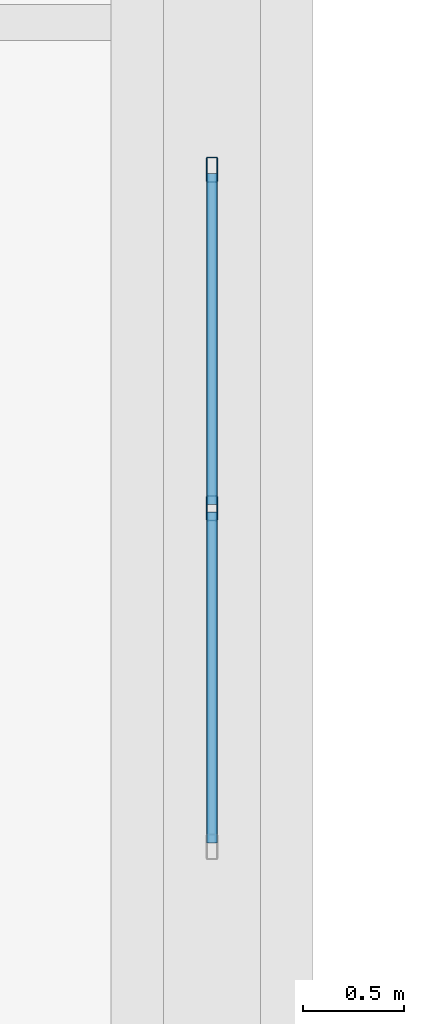
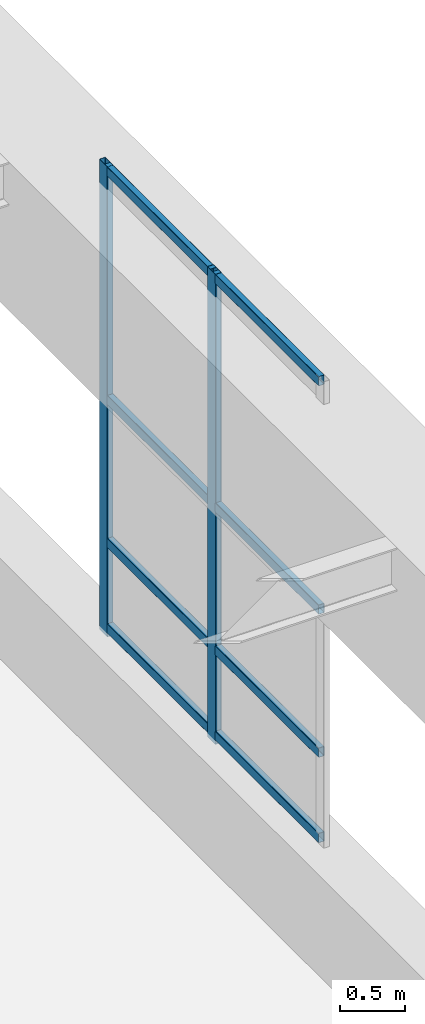
# One storey, part 40 of 197: 10 members, 1 element without a shape of its own.
"""IFC4 building model written with IfcOpenShell, lengths in metres."""

import ifcopenshell
import ifcopenshell.guid

model = None  # the IFC model being written
_history = None  # IfcOwnerHistory: only IFC2X3 demands one
_inside = {}  # id of a spatial element -> (the spatial element, [elements in it])
_under = {}  # id of a project, library or spatial element -> (it, [spatial elements below it])
_declared = {}  # id of a project -> (the project, [libraries it declares])
_typed = {}  # id of a type object -> (the type object, [elements of that type])
_made_of = {}  # id of a material, layer set ... -> (it, [elements and type objects made of it])


def new_model(schema):
    """Start an empty IFC model of exactly this schema.

    Asked for "IFC4X3", IfcOpenShell would pick the latest addendum, in which some entities
    have other attributes; the version numbers below select the first issue.
    IFC2X3 requires an IfcOwnerHistory on every rooted entity: one is made here for all.
    """
    global model, _history
    if schema == "IFC4X3":
        model = ifcopenshell.file(schema_version=(4, 3, 0, 0))
    else:
        model = ifcopenshell.file(schema=schema)
    _inside.clear()
    _under.clear()
    _declared.clear()
    _typed.clear()
    _made_of.clear()
    _history = None
    if model.schema == "IFC2X3":
        org = make("IfcOrganization", Name="unknown")
        user = make(
            "IfcPersonAndOrganization",
            ThePerson=make("IfcPerson", FamilyName="unknown"),
            TheOrganization=org,
        )
        app = make(
            "IfcApplication",
            ApplicationDeveloper=org,
            Version="unknown",
            ApplicationFullName="unknown",
            ApplicationIdentifier="unknown",
        )
        _history = make(
            "IfcOwnerHistory",
            OwningUser=user,
            OwningApplication=app,
            ChangeAction="ADDED",
            CreationDate=0,
        )
    return model


def make(cls, **values):
    """One entity of the class cls with the attributes given. An attribute that is None is left unset."""
    return model.create_entity(
        cls, **{name: value for name, value in values.items() if value is not None}
    )


def rooted(cls, **values):
    """An entity with a GlobalId (a new one), such as an element, a storey or a relation."""
    return make(cls, GlobalId=ifcopenshell.guid.new(), OwnerHistory=_history, **values)


def si_unit(unit_type, name, prefix=None):
    """IfcSIUnit, for example si_unit("LENGTHUNIT", "METRE", prefix="MILLI")."""
    return make("IfcSIUnit", UnitType=unit_type, Prefix=prefix, Name=name)


def derived_unit(unit_type, elements):
    """IfcDerivedUnit: a product of units, each with its exponent."""
    return make(
        "IfcDerivedUnit",
        Elements=[
            make("IfcDerivedUnitElement", Unit=unit, Exponent=power)
            for unit, power in elements
        ],
        UnitType=unit_type,
    )


def assignment(units):
    """IfcUnitAssignment: the units of a project."""
    return None if units is None else make("IfcUnitAssignment", Units=units)


def point(xyz):
    """IfcCartesianPoint."""
    return None if xyz is None else make("IfcCartesianPoint", Coordinates=xyz)


def direction(xyz):
    """IfcDirection."""
    return None if xyz is None else make("IfcDirection", DirectionRatios=xyz)


def frame(location, z_axis=None, x_axis=None):
    """IfcAxis2Placement3D, a coordinate frame: its origin and axes. An axis left out is left unset."""
    return make(
        "IfcAxis2Placement3D",
        Location=point(location),
        Axis=direction(z_axis),
        RefDirection=direction(x_axis),
    )


def frame_2d(location, x_axis=None):
    """IfcAxis2Placement2D, a coordinate frame in the plane: its origin and x axis."""
    return make(
        "IfcAxis2Placement2D", Location=point(location), RefDirection=direction(x_axis)
    )


def origin():
    """The frame at (0, 0, 0) with its axes left unset."""
    return frame((0.0, 0.0, 0.0))


def origin_2d():
    """The frame at (0, 0) in the plane with its x axis left unset."""
    return frame_2d((0.0, 0.0))


def place(relative_to, where):
    """IfcLocalPlacement: puts the frame where relative to a parent placement (None: the world)."""
    return make(
        "IfcLocalPlacement", PlacementRelTo=relative_to, RelativePlacement=where
    )


def context(
    kind, dimensions, precision=None, world=None, true_north=None, identifier=None
):
    """IfcGeometricRepresentationContext, for example the 3D "Model" context."""
    return make(
        "IfcGeometricRepresentationContext",
        ContextIdentifier=identifier,
        ContextType=kind,
        CoordinateSpaceDimension=dimensions,
        Precision=precision,
        WorldCoordinateSystem=world,
        TrueNorth=true_north,
    )


def subcontext(parent, identifier, kind, view, scale=None):
    """IfcGeometricRepresentationSubContext, for example "Body" below "Model"."""
    return make(
        "IfcGeometricRepresentationSubContext",
        ContextIdentifier=identifier,
        ContextType=kind,
        ParentContext=parent,
        TargetScale=scale,
        TargetView=view,
    )


def project(units=None, contexts=None):
    """IfcProject with its units and contexts."""
    return rooted(
        "IfcProject",
        Name="project",
        RepresentationContexts=contexts,
        UnitsInContext=assignment(units),
    )


def spatial(cls, under=None, at=None, **own):
    """A site, building, storey or space (cls), placed at a placement, below another one or the project."""
    s = rooted(cls, ObjectPlacement=at, **own)
    if under is not None:
        _under.setdefault(under.id(), (under, []))[1].append(s)
    return s


def profile(cls, at=None, kind="AREA", **sizes):
    """A parametric profile (cls). Its sizes go by their IFC names, for example OverallWidth=200.0."""
    return make(cls, ProfileType=kind, Position=at, **sizes)


def hollow_rectangle(**sizes):
    """IfcRectangleHollowProfileDef."""
    return profile("IfcRectangleHollowProfileDef", **sizes)


def extrude(swept, where, along, depth):
    """IfcExtrudedAreaSolid: the profile swept, set in the frame where, extruded along a direction by depth."""
    return make(
        "IfcExtrudedAreaSolid",
        SweptArea=swept,
        Position=where,
        ExtrudedDirection=direction(along),
        Depth=depth,
    )


def shape(context_of_items, identifier, shape_type, items):
    """IfcShapeRepresentation: the items that make up one representation, for example the "Body"."""
    return make(
        "IfcShapeRepresentation",
        ContextOfItems=context_of_items,
        RepresentationIdentifier=identifier,
        RepresentationType=shape_type,
        Items=items,
    )


def material(Name=None, Category=None):
    """IfcMaterial."""
    return make("IfcMaterial", Name=Name, Category=Category)


def layer(
    of_material, thickness, ventilated=None, Name=None, Category=None, Priority=None
):
    """IfcMaterialLayer: one layer of a wall or slab, of a material (None: an air gap)."""
    return make(
        "IfcMaterialLayer",
        Material=of_material,
        LayerThickness=thickness,
        IsVentilated=ventilated,
        Name=Name,
        Category=Category,
        Priority=Priority,
    )


def layer_set(layers, Name=None):
    """IfcMaterialLayerSet."""
    return make("IfcMaterialLayerSet", MaterialLayers=layers, LayerSetName=Name)


def material_profile(
    of_material, cross_section, Name=None, Category=None, Priority=None
):
    """IfcMaterialProfile: a cross section and its material."""
    return make(
        "IfcMaterialProfile",
        Name=Name,
        Material=of_material,
        Profile=cross_section,
        Priority=Priority,
        Category=Category,
    )


def profile_set(profiles, Name=None, composite=None):
    """IfcMaterialProfileSet."""
    return make(
        "IfcMaterialProfileSet",
        Name=Name,
        MaterialProfiles=profiles,
        CompositeProfile=composite,
    )


def made_of(thing, what):
    """Note that an element or type object is made of a material, layer set ...; save() writes the relation."""
    if what is not None:
        _made_of.setdefault(what.id(), (what, []))[1].append(thing)
    return thing


def type_object(cls, material=None, **own):
    """A type object (cls), such as IfcWallType, which elements share."""
    return made_of(rooted(cls, **own), material)


def element(
    cls,
    number,
    at=None,
    inside=None,
    cuts=None,
    type_object=None,
    material=None,
    context=None,
    identifier="Body",
    shape_type=None,
    held_by="IfcProductDefinitionShape",
    body=None,
    shapes=None,
    **own,
):
    """One element of the class cls, such as IfcWall. Its Tag is "e" and its number.

    at: its placement. inside: the storey or other place that contains it. cuts: it is an
    opening in that element (IfcRelVoidsElement). A single representation is given by context,
    identifier, shape_type and body (its items); several are given by shapes. held_by: the class
    of the entity that holds the representations. save() writes the other relations.
    """
    e = rooted(cls, Tag="e%d" % number, ObjectPlacement=at, **own)
    if body is not None:
        shapes = [shape(context, identifier, shape_type, body)]
    if shapes is not None:
        e.Representation = make(held_by, Representations=shapes)
    if inside is not None:
        _inside.setdefault(inside.id(), (inside, []))[1].append(e)
    if cuts is not None:
        rooted(
            "IfcRelVoidsElement", RelatingBuildingElement=cuts, RelatedOpeningElement=e
        )
    if type_object is not None:
        _typed.setdefault(type_object.id(), (type_object, []))[1].append(e)
    return made_of(e, material)


def aggregate(whole, parts):
    """IfcRelAggregates: a whole, such as a stair, and the parts it consists of."""
    return rooted("IfcRelAggregates", RelatingObject=whole, RelatedObjects=parts)


def save(model, path):
    """Write the relations noted so far, then the file.

    IfcRelAggregates (storeys below a building ...), IfcRelContainedInSpatialStructure (elements
    in a storey), IfcRelDefinesByType, IfcRelAssociatesMaterial and IfcRelDeclares: one each for
    every whole, place, type object, material and project.
    """
    for whole, parts in _under.values():
        aggregate(whole, parts)
    for where, things in _inside.values():
        rooted(
            "IfcRelContainedInSpatialStructure",
            RelatedElements=things,
            RelatingStructure=where,
        )
    for kind, things in _typed.values():
        rooted("IfcRelDefinesByType", RelatedObjects=things, RelatingType=kind)
    for what, things in _made_of.values():
        rooted("IfcRelAssociatesMaterial", RelatedObjects=things, RelatingMaterial=what)
    for by, libraries in _declared.values():
        rooted("IfcRelDeclares", RelatingContext=by, RelatedDefinitions=libraries)
    model.write(path)


model = new_model("IFC4")

# Units and contexts
model_context = context("Model", 3, precision=1e-05, world=origin(), true_north=direction((0.0, 1.0)))
body_context = subcontext(model_context, "Body", "Model", "MODEL_VIEW")
ifc_project = project(units=[si_unit("LENGTHUNIT", "METRE"), si_unit("AREAUNIT", "SQUARE_METRE"), si_unit("VOLUMEUNIT", "CUBIC_METRE"), si_unit("PLANEANGLEUNIT", "RADIAN"), si_unit("MASSUNIT", "GRAM", prefix="KILO"), derived_unit("THERMALTRANSMITTANCEUNIT", [(si_unit("POWERUNIT", "WATT"), 1), (si_unit("LENGTHUNIT", "METRE"), -2), (si_unit("THERMODYNAMICTEMPERATUREUNIT", "KELVIN"), -1)])], contexts=[model_context])

# Site, building, storey
site_placement = place(None, origin())
site = spatial("IfcSite", under=ifc_project, at=site_placement, CompositionType="ELEMENT")
building_placement = place(site_placement, origin())
building = spatial("IfcBuilding", under=site, at=building_placement, Name="Almenara Railside Exhibition Hall", CompositionType="ELEMENT")
storey_placement = place(building_placement, frame((0.0, 0.0, 5.39990234375)))
storey = spatial("IfcBuildingStorey", under=building, at=storey_placement, Name="L01", CompositionType="ELEMENT", Elevation=5.39990234375)

# Curtain wall, members
ifc_material_1 = material(Name="Bronze-anodised aluminium and low-E double glazing", Category="aluminium")
ifc_layer = layer(ifc_material_1, 0.179931640625, Name="Bronze-anodised aluminium and low-E double glazing")
ifc_layer_set = layer_set([ifc_layer], Name="Bronze-anodised aluminium and low-E double glazing")
curtain_wall_type = type_object("IfcCurtainWallType", Name="Scroll Gable Mid Curtain Wall 3400x4400", PredefinedType="NOTDEFINED", material=ifc_layer_set)
curtain_wall_placement = place(storey_placement, origin())
curtain_wall = element("IfcCurtainWall", 1, at=curtain_wall_placement, inside=storey, type_object=curtain_wall_type, Name="Curtain wall CW-G3-115", PredefinedType="NOTDEFINED")
ifc_material_2 = material(Name="Bronze-anodised aluminium", Category="aluminium")
ifc_material_profile_1 = material_profile(ifc_material_2, hollow_rectangle(XDim=0.054931640625, YDim=0.125, WallThickness=0.0029296875, InnerFilletRadius=0.0029296875, OuterFilletRadius=0.006103515625, at=origin_2d()), Name="ALU-MUL 55x125x3")
ifc_profile_set_1 = profile_set([ifc_material_profile_1], Name="Bronze-anodised aluminium")
member_type_1 = type_object("IfcMemberType", Name="Curtain Wall Mullion 55x125x3", PredefinedType="MULLION", material=ifc_profile_set_1)
member_1_placement = place(storey_placement, frame((66.0, 15.60009765625, 0.9150390625), z_axis=(0.0, 0.0, 1.0), x_axis=(-1.0, 0.0, 0.0)))
member_1 = element("IfcMember", 2, at=member_1_placement, type_object=member_type_1, Name="CW-G3-115 mullion 2", PredefinedType="MULLION", context=body_context, shape_type="SweptSolid", body=[
    extrude(hollow_rectangle(XDim=0.054931640625, YDim=0.125, WallThickness=0.0029296875, InnerFilletRadius=0.0029296875, OuterFilletRadius=0.006103515625, at=origin_2d()), origin(), (0.0, 0.0, 1.0), 4.43505859375),
])
member_2_placement = place(storey_placement, frame((66.0, 17.2724609375, 0.9150390625), z_axis=(0.0, 0.0, 1.0), x_axis=(-1.0, 0.0, 0.0)))
member_2 = element("IfcMember", 3, at=member_2_placement, type_object=member_type_1, Name="CW-G3-115 mullion 3", PredefinedType="MULLION", context=body_context, shape_type="SweptSolid", body=[
    extrude(hollow_rectangle(XDim=0.054931640625, YDim=0.125, WallThickness=0.0029296875, InnerFilletRadius=0.0029296875, OuterFilletRadius=0.006103515625, at=origin_2d()), origin(), (0.0, 0.0, 1.0), 4.43505859375),
])
ifc_material_profile_2 = material_profile(ifc_material_2, hollow_rectangle(XDim=0.054931640625, YDim=0.090087890625, WallThickness=0.0029296875, InnerFilletRadius=0.0029296875, OuterFilletRadius=0.006103515625, at=origin_2d()), Name="ALU-TRN 55x90x3")
ifc_profile_set_2 = profile_set([ifc_material_profile_2], Name="Bronze-anodised aluminium")
member_type_2 = type_object("IfcMemberType", Name="Curtain Wall Transom 55x90x3", PredefinedType="USERDEFINED", material=ifc_profile_set_2)
member_3_placement = place(storey_placement, frame((66.0, 13.947021484375, 0.9951171875), z_axis=(0.0, 1.0, 0.0), x_axis=(-1.0, 0.0, 0.0)))
member_3 = element("IfcMember", 4, at=member_3_placement, type_object=member_type_2, Name="CW-G3-115 transom 1.1", ObjectType="TRANSOM", PredefinedType="USERDEFINED", context=body_context, shape_type="SweptSolid", body=[
    extrude(hollow_rectangle(XDim=0.054931640625, YDim=0.090087890625, WallThickness=0.0029296875, InnerFilletRadius=0.0029296875, OuterFilletRadius=0.006103515625, at=origin_2d()), origin(), (0.0, 0.0, 1.0), 1.633544921875),
])
member_4_placement = place(storey_placement, frame((66.0, 13.947021484375, 1.800048828125), z_axis=(0.0, 1.0, 0.0), x_axis=(-1.0, 0.0, 0.0)))
member_4 = element("IfcMember", 5, at=member_4_placement, type_object=member_type_2, Name="CW-G3-115 transom 1.2", ObjectType="TRANSOM", PredefinedType="USERDEFINED", context=body_context, shape_type="SweptSolid", body=[
    extrude(hollow_rectangle(XDim=0.054931640625, YDim=0.090087890625, WallThickness=0.0029296875, InnerFilletRadius=0.0029296875, OuterFilletRadius=0.006103515625, at=origin_2d()), origin(), (0.0, 0.0, 1.0), 1.633544921875),
])
member_5_placement = place(storey_placement, frame((66.0, 13.947021484375, 3.150146484375), z_axis=(0.0, 1.0, 0.0), x_axis=(-1.0, 0.0, 0.0)))
member_5 = element("IfcMember", 6, at=member_5_placement, type_object=member_type_2, Name="CW-G3-115 transom 1.3", ObjectType="TRANSOM", PredefinedType="USERDEFINED", context=body_context, shape_type="SweptSolid", body=[
    extrude(hollow_rectangle(XDim=0.054931640625, YDim=0.090087890625, WallThickness=0.0029296875, InnerFilletRadius=0.0029296875, OuterFilletRadius=0.006103515625, at=origin_2d()), origin(), (0.0, 0.0, 1.0), 1.633544921875),
])
member_6_placement = place(storey_placement, frame((66.0, 13.947021484375, 5.30517578125), z_axis=(0.0, 1.0, 0.0), x_axis=(-1.0, 0.0, 0.0)))
member_6 = element("IfcMember", 7, at=member_6_placement, type_object=member_type_2, Name="CW-G3-115 transom 1.4", ObjectType="TRANSOM", PredefinedType="USERDEFINED", context=body_context, shape_type="SweptSolid", body=[
    extrude(hollow_rectangle(XDim=0.054931640625, YDim=0.090087890625, WallThickness=0.0029296875, InnerFilletRadius=0.0029296875, OuterFilletRadius=0.006103515625, at=origin_2d()), origin(), (0.0, 0.0, 1.0), 1.633544921875),
])
member_7_placement = place(storey_placement, frame((66.0, 15.619384765625, 0.9951171875), z_axis=(0.0, 1.0, 0.0), x_axis=(-1.0, 0.0, 0.0)))
member_7 = element("IfcMember", 8, at=member_7_placement, type_object=member_type_2, Name="CW-G3-115 transom 2.1", ObjectType="TRANSOM", PredefinedType="USERDEFINED", context=body_context, shape_type="SweptSolid", body=[
    extrude(hollow_rectangle(XDim=0.054931640625, YDim=0.090087890625, WallThickness=0.0029296875, InnerFilletRadius=0.0029296875, OuterFilletRadius=0.006103515625, at=origin_2d()), origin(), (0.0, 0.0, 1.0), 1.633544921875),
])
member_8_placement = place(storey_placement, frame((66.0, 15.619384765625, 1.800048828125), z_axis=(0.0, 1.0, 0.0), x_axis=(-1.0, 0.0, 0.0)))
member_8 = element("IfcMember", 9, at=member_8_placement, type_object=member_type_2, Name="CW-G3-115 transom 2.2", ObjectType="TRANSOM", PredefinedType="USERDEFINED", context=body_context, shape_type="SweptSolid", body=[
    extrude(hollow_rectangle(XDim=0.054931640625, YDim=0.090087890625, WallThickness=0.0029296875, InnerFilletRadius=0.0029296875, OuterFilletRadius=0.006103515625, at=origin_2d()), origin(), (0.0, 0.0, 1.0), 1.633544921875),
])
member_9_placement = place(storey_placement, frame((66.0, 15.619384765625, 3.150146484375), z_axis=(0.0, 1.0, 0.0), x_axis=(-1.0, 0.0, 0.0)))
member_9 = element("IfcMember", 10, at=member_9_placement, type_object=member_type_2, Name="CW-G3-115 transom 2.3", ObjectType="TRANSOM", PredefinedType="USERDEFINED", context=body_context, shape_type="SweptSolid", body=[
    extrude(hollow_rectangle(XDim=0.054931640625, YDim=0.090087890625, WallThickness=0.0029296875, InnerFilletRadius=0.0029296875, OuterFilletRadius=0.006103515625, at=origin_2d()), origin(), (0.0, 0.0, 1.0), 1.633544921875),
])
member_10_placement = place(storey_placement, frame((66.0, 15.619384765625, 5.30517578125), z_axis=(0.0, 1.0, 0.0), x_axis=(-1.0, 0.0, 0.0)))
member_10 = element("IfcMember", 11, at=member_10_placement, type_object=member_type_2, Name="CW-G3-115 transom 2.4", ObjectType="TRANSOM", PredefinedType="USERDEFINED", context=body_context, shape_type="SweptSolid", body=[
    extrude(hollow_rectangle(XDim=0.054931640625, YDim=0.090087890625, WallThickness=0.0029296875, InnerFilletRadius=0.0029296875, OuterFilletRadius=0.006103515625, at=origin_2d()), origin(), (0.0, 0.0, 1.0), 1.633544921875),
])
aggregate(curtain_wall, [member_1, member_2, member_3, member_4, member_5, member_6, member_7, member_8, member_9, member_10])

save(model, "model.ifc")
